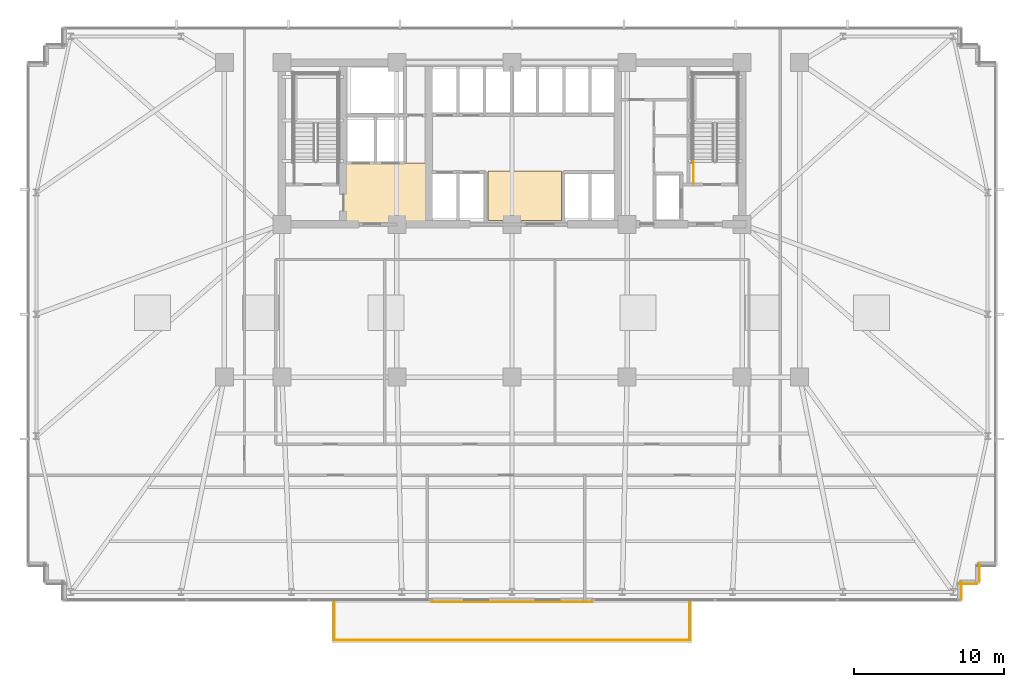
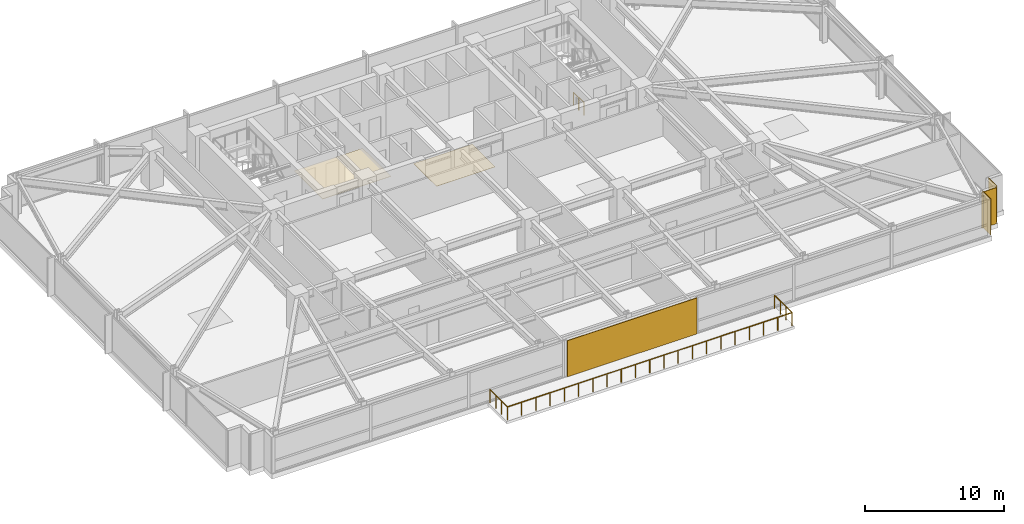
# One storey, part 27 of 31: 6 coverings, 2 railings.
"""IFC4 building model written with IfcOpenShell, lengths in metres."""

from ifc_helpers import new_model, si_unit, direction, frame, frame_2d, origin, origin_2d, place, context, subcontext, project, spatial, polyline, rectangle, circle, outline, extrude, material, layer, layer_set, type_object, element, save


model = new_model("IFC4")

# Units and contexts
model_context = context("Model", 3, precision=1e-05, world=origin(), true_north=direction((0.0, 1.0)))
body_context = subcontext(model_context, "Body", "Model", "MODEL_VIEW")
ifc_project = project(units=[si_unit("LENGTHUNIT", "METRE"), si_unit("AREAUNIT", "SQUARE_METRE"), si_unit("VOLUMEUNIT", "CUBIC_METRE"), si_unit("PLANEANGLEUNIT", "RADIAN"), si_unit("MASSUNIT", "GRAM", prefix="KILO")], contexts=[model_context])

# Site, building, storey
site_placement = place(None, origin())
site = spatial("IfcSite", under=ifc_project, at=site_placement, CompositionType="ELEMENT")
building_placement = place(site_placement, origin())
building = spatial("IfcBuilding", under=site, at=building_placement, Name="Yelkora Congress Tower", CompositionType="ELEMENT")
storey_placement = place(building_placement, frame((0.0, 0.0, 30.39990234375)))
storey = spatial("IfcBuildingStorey", under=building, at=storey_placement, Name="L06", CompositionType="ELEMENT", Elevation=30.39990234375)

# Coverings
ifc_material_1 = material(Name="Perforated mineral-fibre acoustic ceiling", Category="gypsum")
ifc_layer_1 = layer(ifc_material_1, 0.0400390625)
ifc_layer_set_1 = layer_set([ifc_layer_1], Name="Perforated mineral-fibre acoustic ceiling")
covering_type_1 = type_object("IfcCoveringType", Name="COV-CEIL-ACOUSTIC-40", PredefinedType="CEILING", material=ifc_layer_set_1)
covering_1_placement = place(storey_placement, frame((0.0, 0.0, 2.400146484375)))
element("IfcCovering", 1, at=covering_1_placement, inside=storey, type_object=covering_type_1, Name="L06 Firefighting Lobby Acoustic Ceiling", PredefinedType="CEILING", context=body_context, shape_type="SweptSolid", body=[
    extrude(outline(polyline([(27.14990234375, 35.39990234375), (32.85009765625, 35.39990234375), (32.85009765625, 39.47998046875), (27.14990234375, 39.47998046875), (27.14990234375, 35.39990234375)])), origin(), (0.0, 0.0, 1.0), 0.0400390625),
])
ifc_material_2 = material(Name="Anatolian honed limestone ashlar", Category="masonry")
ifc_layer_2 = layer(ifc_material_2, 0.050048828125)
ifc_layer_set_2 = layer_set([ifc_layer_2], Name="Anatolian honed limestone ashlar")
covering_type_2 = type_object("IfcCoveringType", Name="COV-CLAD-LIMESTONE-50", PredefinedType="CLADDING", material=ifc_layer_set_2)
covering_2_placement = place(storey_placement, frame((33.0, 10.199951171875, 0.0), z_axis=(0.0, 0.0, 1.0), x_axis=(1.0, 0.0, 0.0)))
element("IfcCovering", 2, at=covering_2_placement, inside=storey, type_object=covering_type_2, Name="L06 Anatolian Limestone Cladding EW-L06-TER", PredefinedType="CLADDING", context=body_context, shape_type="SweptSolid", body=[
    extrude(rectangle(XDim=10.800048828125, YDim=0.050048828125, at=frame_2d((5.39990234375, 0.0))), origin(), (0.0, 0.0, 1.0), 3.18017578125),
])
ifc_material_3 = material(Name="Anatolian bush-hammered limestone", Category="masonry")
ifc_layer_3 = layer(ifc_material_3, 0.0400390625)
ifc_layer_set_3 = layer_set([ifc_layer_3], Name="Anatolian bush-hammered limestone")
covering_type_3 = type_object("IfcCoveringType", Name="COV-CLAD-SPANDREL-40", PredefinedType="CLADDING", material=ifc_layer_set_3)
for number, where, z_axis, x_axis, name in (
    (3, (69.594970703125, 12.739990234375, 0.0), (0.0, 0.0, 1.0), (0.0, -1.0, 0.0), "L06 Anatolian Limestone Cladding EW-L06-SR17"),
    (4, (69.4599609375, 11.405029296875, 0.0), (0.0, 0.0, 1.0), (-1.0, 0.0, 0.0), "L06 Anatolian Limestone Cladding EW-L06-SR18"),
    (5, (68.39501953125, 11.5400390625, 0.0), (0.0, 0.0, 1.0), (0.0, -1.0, 0.0), "L06 Anatolian Limestone Cladding EW-L06-SR19"),
):
    element("IfcCovering", number, at=place(storey_placement, frame(where, z_axis=z_axis, x_axis=x_axis)), inside=storey, type_object=covering_type_3, Name=name, PredefinedType="CLADDING", context=body_context, shape_type="SweptSolid", body=[
        extrude(rectangle(XDim=1.199951171875, YDim=0.0400390625, at=frame_2d((0.60009765625, 0.0))), origin(), (0.0, 0.0, 1.0), 3.18017578125),
    ])
ifc_material_4 = material(Name="Polished Anatolian grey granite tile", Category="masonry")
ifc_layer_4 = layer(ifc_material_4, 0.02001953125)
ifc_layer_set_4 = layer_set([ifc_layer_4], Name="Polished Anatolian grey granite tile")
covering_type_4 = type_object("IfcCoveringType", Name="COV-FLOOR-GRANITE-20", PredefinedType="FLOORING", material=ifc_layer_set_4)
covering_3_placement = place(storey_placement, origin())
element("IfcCovering", 6, at=covering_3_placement, inside=storey, type_object=covering_type_4, Name="L06 Lift Lobby Granite Flooring", PredefinedType="FLOORING", context=body_context, shape_type="SweptSolid", body=[
    extrude(outline(polyline([(36.800048828125, 35.64990234375), (41.699951171875, 35.64990234375), (41.699951171875, 38.949951171875), (36.800048828125, 38.949951171875), (36.800048828125, 35.64990234375)])), origin(), (0.0, 0.0, 1.0), 0.02001953125),
])

# Railings
ifc_material_5 = material(Name="Painted galvanised steel stair well guard with vertical infill", Category="steel")
ifc_layer_5 = layer(ifc_material_5, 0.06005859375)
ifc_layer_set_5 = layer_set([ifc_layer_5], Name="Painted galvanised steel stair well guard with vertical infill")
railing_type_1 = type_object("IfcRailingType", Name="RAIL-STAIR-GUARD-1120", PredefinedType="GUARDRAIL", material=ifc_layer_set_5)
railing_1_placement = place(storey_placement, frame((50.510009765625, 38.1201171875, 0.0)))
element("IfcRailing", 7, at=railing_1_placement, inside=storey, type_object=railing_type_1, Name="ST-02 L06 Stair Well Guardrail 9", PredefinedType="GUARDRAIL", context=body_context, shape_type="SweptSolid", body=[
    extrude(circle(Radius=0.02392578125, at=origin_2d()), frame((0.0, 0.0, 1.09619140625), z_axis=(0.0, 1.0, 0.0), x_axis=(-1.0, 0.0, 0.0)), (0.0, 0.0, 1.0), 1.47998046875),
    extrude(circle(Radius=0.02099609375, at=origin_2d()), origin(), (0.0, 0.0, 1.0), 1.072021484375),
    extrude(circle(Radius=0.02099609375, at=origin_2d()), frame((0.0, 0.739990234375, 0.0)), (0.0, 0.0, 1.0), 1.072021484375),
    extrude(circle(Radius=0.02099609375, at=origin_2d()), frame((0.0, 1.47998046875, 0.0)), (0.0, 0.0, 1.0), 1.072021484375),
])
ifc_material_6 = material(Name="Laminated structural glass balustrade with stainless cap rail", Category="glass")
ifc_layer_6 = layer(ifc_material_6, 0.10009765625)
ifc_layer_set_6 = layer_set([ifc_layer_6], Name="Laminated structural glass balustrade with stainless cap rail")
railing_type_2 = type_object("IfcRailingType", Name="RAIL-TER-BALUSTRADE-1180", PredefinedType="BALUSTRADE", material=ifc_layer_set_6)
railing_2_placement = place(storey_placement, frame((26.5400390625, 10.159912109375, 0.0)))
element("IfcRailing", 8, at=railing_2_placement, inside=storey, type_object=railing_type_2, Name="L06 Sky Garden Terrace Perimeter Guardrail", PredefinedType="BALUSTRADE", context=body_context, shape_type="SweptSolid", body=[
    extrude(circle(Radius=0.02392578125, at=origin_2d()), frame((0.0, 0.0, 1.15576171875), z_axis=(0.0, -1.0, 0.0), x_axis=(1.0, 0.0, 0.0)), (0.0, 0.0, 1.0), 2.52001953125),
    extrude(circle(Radius=0.02392578125, at=origin_2d()), frame((0.0, -2.52001953125, 1.15576171875), z_axis=(1.0, 0.0, 0.0), x_axis=(0.0, 1.0, 0.0)), (0.0, 0.0, 1.0), 23.719970703125),
    extrude(circle(Radius=0.02392578125, at=origin_2d()), frame((23.719970703125, -2.52001953125, 1.15576171875), z_axis=(0.0, 1.0, 0.0), x_axis=(-1.0, 0.0, 0.0)), (0.0, 0.0, 1.0), 2.52001953125),
    extrude(circle(Radius=0.02099609375, at=origin_2d()), origin(), (0.0, 0.0, 1.0), 1.1318359375),
    extrude(circle(Radius=0.02099609375, at=origin_2d()), frame((0.0, -0.840087890625, 0.0)), (0.0, 0.0, 1.0), 1.1318359375),
    extrude(circle(Radius=0.02099609375, at=origin_2d()), frame((0.0, -1.679931640625, 0.0)), (0.0, 0.0, 1.0), 1.1318359375),
    extrude(circle(Radius=0.02099609375, at=origin_2d()), frame((0.0, -2.52001953125, 0.0)), (0.0, 0.0, 1.0), 1.1318359375),
    extrude(circle(Radius=0.02099609375, at=origin_2d()), frame((1.18603515625, -2.52001953125, 0.0)), (0.0, 0.0, 1.0), 1.1318359375),
    extrude(circle(Radius=0.02099609375, at=origin_2d()), frame((2.3720703125, -2.52001953125, 0.0)), (0.0, 0.0, 1.0), 1.1318359375),
    extrude(circle(Radius=0.02099609375, at=origin_2d()), frame((3.55810546875, -2.52001953125, 0.0)), (0.0, 0.0, 1.0), 1.1318359375),
    extrude(circle(Radius=0.02099609375, at=origin_2d()), frame((4.743896484375, -2.52001953125, 0.0)), (0.0, 0.0, 1.0), 1.1318359375),
    extrude(circle(Radius=0.02099609375, at=origin_2d()), frame((5.929931640625, -2.52001953125, 0.0)), (0.0, 0.0, 1.0), 1.1318359375),
    extrude(circle(Radius=0.02099609375, at=origin_2d()), frame((7.115966796875, -2.52001953125, 0.0)), (0.0, 0.0, 1.0), 1.1318359375),
    extrude(circle(Radius=0.02099609375, at=origin_2d()), frame((8.302001953125, -2.52001953125, 0.0)), (0.0, 0.0, 1.0), 1.1318359375),
    extrude(circle(Radius=0.02099609375, at=origin_2d()), frame((9.488037109375, -2.52001953125, 0.0)), (0.0, 0.0, 1.0), 1.1318359375),
    extrude(circle(Radius=0.02099609375, at=origin_2d()), frame((10.674072265625, -2.52001953125, 0.0)), (0.0, 0.0, 1.0), 1.1318359375),
    extrude(circle(Radius=0.02099609375, at=origin_2d()), frame((11.85986328125, -2.52001953125, 0.0)), (0.0, 0.0, 1.0), 1.1318359375),
    extrude(circle(Radius=0.02099609375, at=origin_2d()), frame((13.0458984375, -2.52001953125, 0.0)), (0.0, 0.0, 1.0), 1.1318359375),
    extrude(circle(Radius=0.02099609375, at=origin_2d()), frame((14.23193359375, -2.52001953125, 0.0)), (0.0, 0.0, 1.0), 1.1318359375),
    extrude(circle(Radius=0.02099609375, at=origin_2d()), frame((15.41796875, -2.52001953125, 0.0)), (0.0, 0.0, 1.0), 1.1318359375),
    extrude(circle(Radius=0.02099609375, at=origin_2d()), frame((16.60400390625, -2.52001953125, 0.0)), (0.0, 0.0, 1.0), 1.1318359375),
    extrude(circle(Radius=0.02099609375, at=origin_2d()), frame((17.7900390625, -2.52001953125, 0.0)), (0.0, 0.0, 1.0), 1.1318359375),
    extrude(circle(Radius=0.02099609375, at=origin_2d()), frame((18.97607421875, -2.52001953125, 0.0)), (0.0, 0.0, 1.0), 1.1318359375),
    extrude(circle(Radius=0.02099609375, at=origin_2d()), frame((20.161865234375, -2.52001953125, 0.0)), (0.0, 0.0, 1.0), 1.1318359375),
    extrude(circle(Radius=0.02099609375, at=origin_2d()), frame((21.347900390625, -2.52001953125, 0.0)), (0.0, 0.0, 1.0), 1.1318359375),
    extrude(circle(Radius=0.02099609375, at=origin_2d()), frame((22.533935546875, -2.52001953125, 0.0)), (0.0, 0.0, 1.0), 1.1318359375),
    extrude(circle(Radius=0.02099609375, at=origin_2d()), frame((23.719970703125, -2.52001953125, 0.0)), (0.0, 0.0, 1.0), 1.1318359375),
    extrude(circle(Radius=0.02099609375, at=origin_2d()), frame((23.719970703125, -1.679931640625, 0.0)), (0.0, 0.0, 1.0), 1.1318359375),
    extrude(circle(Radius=0.02099609375, at=origin_2d()), frame((23.719970703125, -0.840087890625, 0.0)), (0.0, 0.0, 1.0), 1.1318359375),
    extrude(circle(Radius=0.02099609375, at=origin_2d()), frame((23.719970703125, 0.0, 0.0)), (0.0, 0.0, 1.0), 1.1318359375),
])

save(model, "model.ifc")
